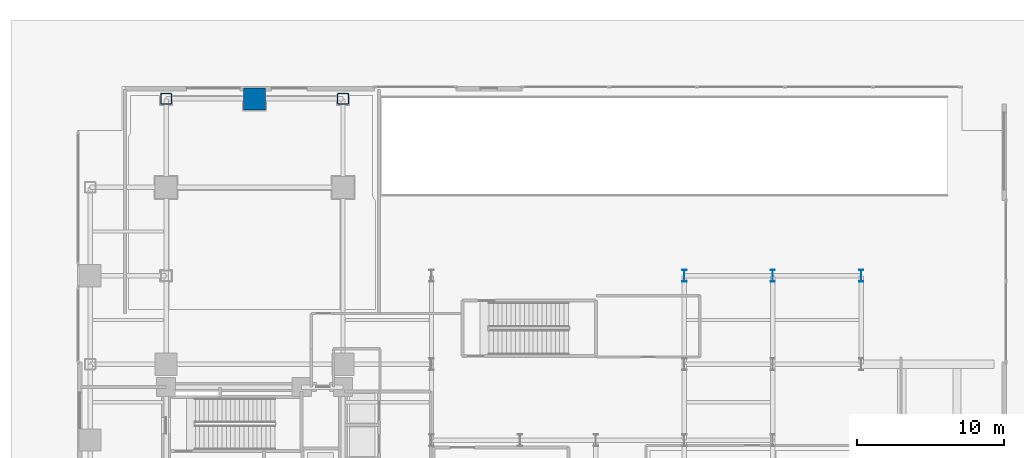
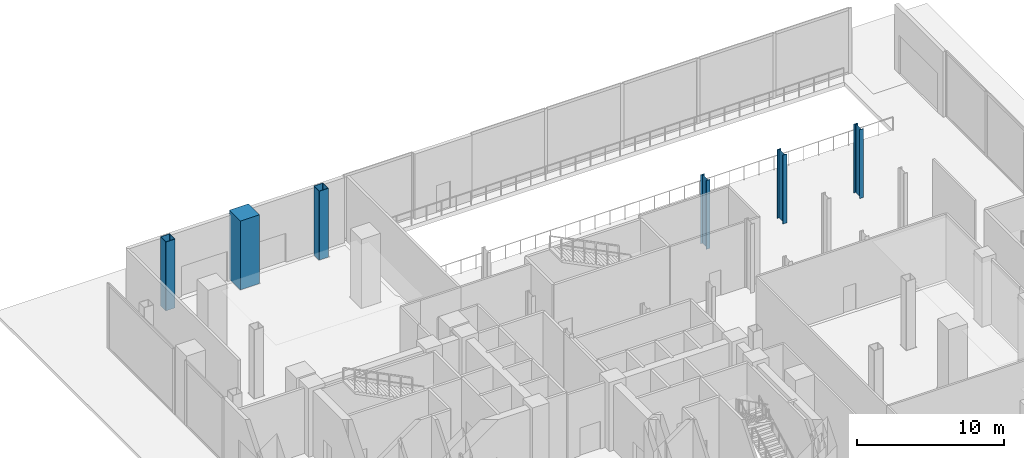
# One storey, part 2 of 27: 6 columns.
"""IFC4 building model written with IfcOpenShell, lengths in metres."""

from ifc_helpers import new_model, si_unit, direction, frame, origin, origin_2d, place, context, subcontext, project, spatial, rectangle, hollow_rectangle, i_section, extrude, material, material_profile, profile_set, type_object, element, save


model = new_model("IFC4")

# Units and contexts
model_context = context("Model", 3, precision=1e-05, world=origin(), true_north=direction((0.0, 1.0)))
body_context = subcontext(model_context, "Body", "Model", "MODEL_VIEW")
ifc_project = project(units=[si_unit("LENGTHUNIT", "METRE"), si_unit("AREAUNIT", "SQUARE_METRE"), si_unit("VOLUMEUNIT", "CUBIC_METRE"), si_unit("PLANEANGLEUNIT", "RADIAN"), si_unit("MASSUNIT", "GRAM", prefix="KILO"), si_unit("THERMODYNAMICTEMPERATUREUNIT", "KELVIN"), si_unit("POWERUNIT", "WATT")], contexts=[model_context])

# Site, building, storey
site_placement = place(None, origin())
site = spatial("IfcSite", under=ifc_project, at=site_placement, CompositionType="ELEMENT")
building_placement = place(site_placement, origin())
building = spatial("IfcBuilding", under=site, at=building_placement, Name="Svarakhadi Broadcast Tower", CompositionType="ELEMENT")
storey_placement = place(building_placement, origin())
storey = spatial("IfcBuildingStorey", under=building, at=storey_placement, Name="L00", CompositionType="ELEMENT", Elevation=0.0)

# Columns
ifc_material_1 = material(Name="Steel S460ML (IS 2062 E450BR)", Category="steel")
ifc_material_profile_1 = material_profile(ifc_material_1, hollow_rectangle(XDim=0.75, YDim=0.75, WallThickness=0.034912109375, InnerFilletRadius=0.034912109375, OuterFilletRadius=0.050048828125, at=origin_2d()), Name="BOX 750x750x35")
ifc_profile_set_1 = profile_set([ifc_material_profile_1], Name="Steel S460ML (IS 2062 E450BR)")
column_type_1 = type_object("IfcColumnType", Name="Col_BOX750", PredefinedType="COLUMN", material=ifc_profile_set_1)
for number, where, z_axis, x_axis, name in (
    (1, (6.0, 47.14990234375, 0.0), (0.0, 0.0, 1.0), (1.0, 0.0, 0.0), "L00 Column G17"),
    (2, (18.0, 47.14990234375, 0.0), (0.0, 0.0, 1.0), (1.0, 0.0, 0.0), "L00 Column G31"),
):
    element("IfcColumn", number, at=place(storey_placement, frame(where, z_axis=z_axis, x_axis=x_axis)), inside=storey, type_object=column_type_1, Name=name, PredefinedType="COLUMN", context=body_context, shape_type="SweptSolid", body=[
        extrude(hollow_rectangle(XDim=0.75, YDim=0.75, WallThickness=0.034912109375, InnerFilletRadius=0.034912109375, OuterFilletRadius=0.050048828125, at=origin_2d()), origin(), (0.0, 0.0, 1.0), 5.699951171875),
    ])
ifc_material_2 = material(Name="Concrete C60/75 (IS 456 M70)", Category="concrete")
ifc_material_profile_2 = material_profile(ifc_material_2, rectangle(XDim=1.5, YDim=1.5, at=origin_2d()), Name="RC 1500x1500")
ifc_profile_set_2 = profile_set([ifc_material_profile_2], Name="Concrete C60/75 (IS 456 M70)")
column_type_2 = type_object("IfcColumnType", Name="Col_RC1500", PredefinedType="COLUMN", material=ifc_profile_set_2)
column_placement = place(storey_placement, frame((12.0, 47.14990234375, 0.0), z_axis=(0.0, 0.0, 1.0), x_axis=(1.0, 0.0, 0.0)))
element("IfcColumn", 3, at=column_placement, inside=storey, type_object=column_type_2, Name="L00 Column G24", PredefinedType="COLUMN", context=body_context, shape_type="SweptSolid", body=[
    extrude(rectangle(XDim=1.5, YDim=1.5, at=origin_2d()), origin(), (0.0, 0.0, 1.0), 5.699951171875),
])
ifc_material_profile_3 = material_profile(ifc_material_1, i_section(OverallWidth=0.300048828125, OverallDepth=0.800048828125, WebThickness=0.017578125, FlangeThickness=0.032958984375, FilletRadius=0.030029296875, at=origin_2d()), Name="WPB 800x300x262")
ifc_profile_set_3 = profile_set([ifc_material_profile_3], Name="Steel S460ML (IS 2062 E450BR)")
column_type_3 = type_object("IfcColumnType", Name="Col_WPB800", PredefinedType="COLUMN", material=ifc_profile_set_3)
for number, where, z_axis, x_axis, name in (
    (4, (41.14990234375, 35.14990234375, 0.0), (0.0, 0.0, 1.0), (1.0, 0.0, 0.0), "L00 Column G49"),
    (5, (47.14990234375, 35.14990234375, 0.0), (0.0, 0.0, 1.0), (1.0, 0.0, 0.0), "L00 Column G56"),
    (6, (53.14990234375, 35.14990234375, 0.0), (0.0, 0.0, 1.0), (1.0, 0.0, 0.0), "L00 Column G60"),
):
    element("IfcColumn", number, at=place(storey_placement, frame(where, z_axis=z_axis, x_axis=x_axis)), inside=storey, type_object=column_type_3, Name=name, PredefinedType="COLUMN", context=body_context, shape_type="SweptSolid", body=[
        extrude(i_section(OverallWidth=0.300048828125, OverallDepth=0.800048828125, WebThickness=0.017578125, FlangeThickness=0.032958984375, FilletRadius=0.030029296875, at=origin_2d()), origin(), (0.0, 0.0, 1.0), 5.699951171875),
    ])

save(model, "model.ifc")
